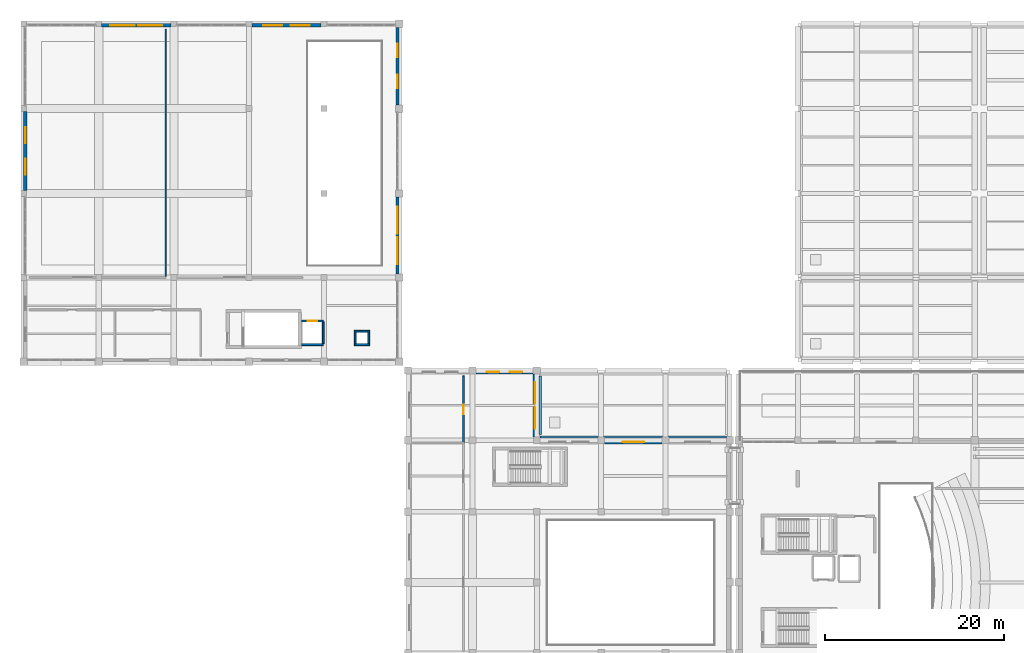
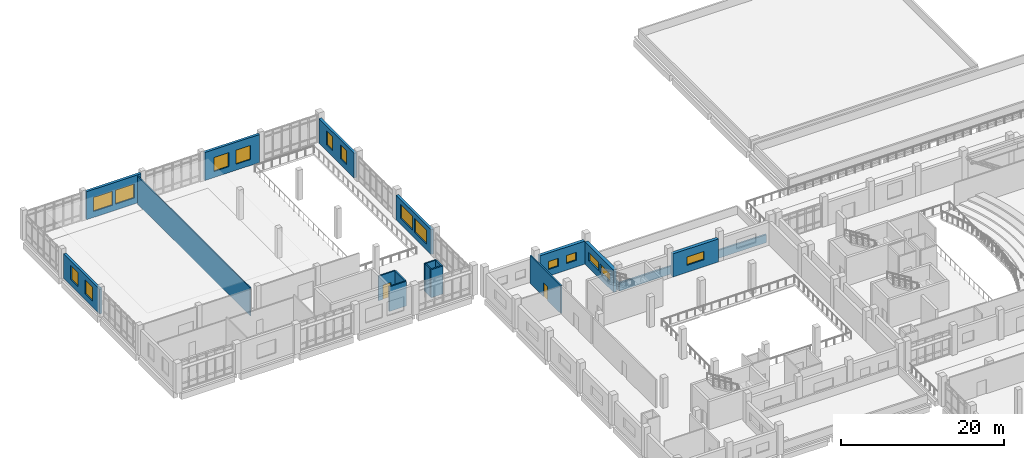
# One storey, part 42 of 54: 19 walls, 15 windows, 2 doors, 17 openings.
"""IFC4 building model written with IfcOpenShell, lengths in metres."""

from ifc_helpers import new_model, si_unit, direction, frame, frame_2d, origin, place, context, subcontext, project, spatial, rectangle, extrude, material, layer, layer_set, type_object, element, fill, save


model = new_model("IFC4")

# Units and contexts
model_context = context("Model", 3, precision=1e-05, world=origin(), true_north=direction((0.0, 1.0)))
body_context = subcontext(model_context, "Body", "Model", "MODEL_VIEW")
ifc_project = project(units=[si_unit("LENGTHUNIT", "METRE"), si_unit("AREAUNIT", "SQUARE_METRE"), si_unit("VOLUMEUNIT", "CUBIC_METRE"), si_unit("PLANEANGLEUNIT", "RADIAN"), si_unit("MASSUNIT", "GRAM", prefix="KILO")], contexts=[model_context])

# Site, building, storey
site_placement = place(None, origin())
site = spatial("IfcSite", under=ifc_project, at=site_placement, CompositionType="ELEMENT")
building_placement = place(site_placement, origin())
building = spatial("IfcBuilding", under=site, at=building_placement, Name="Kelarvand Opera House", CompositionType="ELEMENT")
storey_placement = place(building_placement, frame((0.0, 0.0, 15.0)))
storey = spatial("IfcBuildingStorey", under=building, at=storey_placement, Name="L03", CompositionType="ELEMENT", Elevation=15.0)

# Wall
ifc_material_1 = material(Name="Acoustic double-stud gypsum partition")
ifc_layer_1 = layer(ifc_material_1, 0.14990234375, Name="Acoustic double-stud gypsum partition")
ifc_layer_set_1 = layer_set([ifc_layer_1], Name="Acoustic double-stud gypsum partition")
wall_type_1 = type_object("IfcWallType", Name="Acoustic Room Partition Wall 150", PredefinedType="PARTITIONING", material=ifc_layer_set_1)
wall_1_placement = place(storey_placement, frame((24.89990234375, 96.739990234375, 0.0), z_axis=(0.0, 0.0, 1.0), x_axis=(0.0, 1.0, 0.0)))
element("IfcWall", 1, at=wall_1_placement, inside=storey, type_object=wall_type_1, Name="V3 L03 Partition Wall IW-150 (587)", PredefinedType="PARTITIONING", context=body_context, shape_type="SweptSolid", body=[
    extrude(rectangle(XDim=27.659912109375, YDim=0.14990234375, at=frame_2d((13.830078125, 0.0))), origin(), (0.0, 0.0, 1.0), 4.19189453125),
])

# Wall, openings, windows
ifc_material_2 = material(Name="Concrete C35/45", Category="concrete")
ifc_layer_2 = layer(ifc_material_2, 0.360107421875, Name="Concrete C35/45", Category="concrete")
ifc_layer_set_2 = layer_set([ifc_layer_2], Name="Concrete C35/45")
wall_type_2 = type_object("IfcWallType", Name="Azarshahr Travertine Cavity Wall 360", PredefinedType="SOLIDWALL", material=ifc_layer_set_2)
wall_2_placement = place(storey_placement, frame((50.820068359375, 124.590087890625, 0.0), z_axis=(0.0, 0.0, 1.0), x_axis=(0.0, -1.0, 0.0)))
wall_2 = element("IfcWall", 2, at=wall_2_placement, inside=storey, type_object=wall_type_2, Name="V3 L03 Exterior Wall EW-360 (422)", PredefinedType="SOLIDWALL", context=body_context, shape_type="SweptSolid", body=[
    extrude(rectangle(XDim=8.68017578125, YDim=0.360107421875, at=frame_2d((4.340087890625, 0.0))), origin(), (0.0, 0.0, 1.0), 3.709228515625),
])
opening_1_placement = place(wall_2_placement, frame((1.85400390625, 0.0, 0.89990234375)))
opening_1 = element("IfcOpeningElement", 3, at=opening_1_placement, cuts=wall_2, Name="Opening WN-04", PredefinedType="OPENING", context=body_context, shape_type="SweptSolid", body=[
    extrude(rectangle(XDim=1.5, YDim=2.10009765625, at=frame_2d((0.75, 1.050048828125))), frame((0.0, 0.18994140625, 0.0), z_axis=(0.0, -1.0, 0.0), x_axis=(1.0, 0.0, 0.0)), (0.0, 0.0, 1.0), 0.380126953125),
])
opening_2_placement = place(wall_2_placement, frame((5.325927734375, 0.0, 0.89990234375)))
opening_2 = element("IfcOpeningElement", 4, at=opening_2_placement, cuts=wall_2, Name="Opening WN-04", PredefinedType="OPENING", context=body_context, shape_type="SweptSolid", body=[
    extrude(rectangle(XDim=1.5, YDim=2.10009765625, at=frame_2d((0.75, 1.050048828125))), frame((0.0, 0.18994140625, 0.0), z_axis=(0.0, -1.0, 0.0), x_axis=(1.0, 0.0, 0.0)), (0.0, 0.0, 1.0), 0.380126953125),
])
ifc_material_3 = material(Name="Thermally broken aluminium and low-E double glazing", Category="aluminium")
window_type_1 = type_object("IfcWindowType", Name="Recessed Aluminium Thermal Window 1500x2100 WN-04", PartitioningType="SINGLE_PANEL", PredefinedType="WINDOW", material=ifc_material_3)
window_1_placement = place(opening_1_placement, origin())
window_1 = element("IfcWindow", 5, at=window_1_placement, inside=storey, type_object=window_type_1, Name="V3 L03 Facade Window WN-04 (188)", OverallHeight=2.10009765625, OverallWidth=1.5, PartitioningType="SINGLE_PANEL", PredefinedType="WINDOW", context=body_context, shape_type="SweptSolid", body=[
    extrude(rectangle(XDim=1.5, YDim=2.10009765625, at=frame_2d((0.75, 1.050048828125))), frame((0.0, 0.030029296875, 0.0), z_axis=(0.0, -1.0, 0.0), x_axis=(1.0, 0.0, 0.0)), (0.0, 0.0, 1.0), 0.06005859375),
])
fill(opening_1, window_1)
window_2_placement = place(opening_2_placement, origin())
window_2 = element("IfcWindow", 6, at=window_2_placement, inside=storey, type_object=window_type_1, Name="V3 L03 Facade Window WN-04 (189)", OverallHeight=2.10009765625, OverallWidth=1.5, PartitioningType="SINGLE_PANEL", PredefinedType="WINDOW", context=body_context, shape_type="SweptSolid", body=[
    extrude(rectangle(XDim=1.5, YDim=2.10009765625, at=frame_2d((0.75, 1.050048828125))), frame((0.0, 0.030029296875, 0.0), z_axis=(0.0, -1.0, 0.0), x_axis=(1.0, 0.0, 0.0)), (0.0, 0.0, 1.0), 0.06005859375),
])
fill(opening_2, window_2)

wall_3_placement = place(storey_placement, frame((50.820068359375, 105.590087890625, 0.0), z_axis=(0.0, 0.0, 1.0), x_axis=(0.0, -1.0, 0.0)))
wall_3 = element("IfcWall", 7, at=wall_3_placement, inside=storey, type_object=wall_type_2, Name="V3 L03 Exterior Wall EW-360 (423)", PredefinedType="SOLIDWALL", context=body_context, shape_type="SweptSolid", body=[
    extrude(rectangle(XDim=8.580078125, YDim=0.360107421875, at=frame_2d((4.2900390625, 0.0))), origin(), (0.0, 0.0, 1.0), 3.709228515625),
])
opening_3_placement = place(wall_3_placement, frame((1.073974609375, 0.0, 0.89990234375)))
opening_3 = element("IfcOpeningElement", 8, at=opening_3_placement, cuts=wall_3, Name="Opening WN-09", PredefinedType="OPENING", context=body_context, shape_type="SweptSolid", body=[
    extrude(rectangle(XDim=3.0, YDim=2.10009765625, at=frame_2d((1.5, 1.050048828125))), frame((0.0, 0.18994140625, 0.0), z_axis=(0.0, -1.0, 0.0), x_axis=(1.0, 0.0, 0.0)), (0.0, 0.0, 1.0), 0.380126953125),
])
opening_4_placement = place(wall_3_placement, frame((4.506103515625, 0.0, 0.89990234375)))
opening_4 = element("IfcOpeningElement", 9, at=opening_4_placement, cuts=wall_3, Name="Opening WN-09", PredefinedType="OPENING", context=body_context, shape_type="SweptSolid", body=[
    extrude(rectangle(XDim=3.0, YDim=2.10009765625, at=frame_2d((1.5, 1.050048828125))), frame((0.0, 0.18994140625, 0.0), z_axis=(0.0, -1.0, 0.0), x_axis=(1.0, 0.0, 0.0)), (0.0, 0.0, 1.0), 0.380126953125),
])
window_type_2 = type_object("IfcWindowType", Name="Recessed Aluminium Thermal Window 3000x2100 WN-09", PartitioningType="SINGLE_PANEL", PredefinedType="WINDOW", material=ifc_material_3)
window_3_placement = place(opening_3_placement, origin())
window_3 = element("IfcWindow", 10, at=window_3_placement, inside=storey, type_object=window_type_2, Name="V3 L03 Facade Window WN-09 (190)", OverallHeight=2.10009765625, OverallWidth=3.0, PartitioningType="SINGLE_PANEL", PredefinedType="WINDOW", context=body_context, shape_type="SweptSolid", body=[
    extrude(rectangle(XDim=3.0, YDim=2.10009765625, at=frame_2d((1.5, 1.050048828125))), frame((0.0, 0.030029296875, 0.0), z_axis=(0.0, -1.0, 0.0), x_axis=(1.0, 0.0, 0.0)), (0.0, 0.0, 1.0), 0.06005859375),
])
fill(opening_3, window_3)
window_4_placement = place(opening_4_placement, origin())
window_4 = element("IfcWindow", 11, at=window_4_placement, inside=storey, type_object=window_type_2, Name="V3 L03 Facade Window WN-09 (191)", OverallHeight=2.10009765625, OverallWidth=3.0, PartitioningType="SINGLE_PANEL", PredefinedType="WINDOW", context=body_context, shape_type="SweptSolid", body=[
    extrude(rectangle(XDim=3.0, YDim=2.10009765625, at=frame_2d((1.5, 1.050048828125))), frame((0.0, 0.030029296875, 0.0), z_axis=(0.0, -1.0, 0.0), x_axis=(1.0, 0.0, 0.0)), (0.0, 0.0, 1.0), 0.06005859375),
])
fill(opening_4, window_4)

wall_4_placement = place(storey_placement, frame((17.72509765625, 124.820068359375, 0.0), z_axis=(0.0, 0.0, 1.0), x_axis=(1.0, 0.0, 0.0)))
wall_4 = element("IfcWall", 12, at=wall_4_placement, inside=storey, type_object=wall_type_2, Name="V3 L03 Exterior Wall EW-360 (424)", PredefinedType="SOLIDWALL", context=body_context, shape_type="SweptSolid", body=[
    extrude(rectangle(XDim=7.75, YDim=0.360107421875, at=frame_2d((3.875, 0.0))), origin(), (0.0, 0.0, 1.0), 4.199951171875),
])
opening_5_placement = place(wall_4_placement, frame((0.97509765625, 0.0, 0.89990234375)))
opening_5 = element("IfcOpeningElement", 13, at=opening_5_placement, cuts=wall_4, Name="Opening WN-08", PredefinedType="OPENING", context=body_context, shape_type="SweptSolid", body=[
    extrude(rectangle(XDim=2.699951171875, YDim=2.10009765625, at=frame_2d((1.35009765625, 1.050048828125))), frame((0.0, 0.18994140625, 0.0), z_axis=(0.0, -1.0, 0.0), x_axis=(1.0, 0.0, 0.0)), (0.0, 0.0, 1.0), 0.380126953125),
])
opening_6_placement = place(wall_4_placement, frame((4.074951171875, 0.0, 0.89990234375)))
opening_6 = element("IfcOpeningElement", 14, at=opening_6_placement, cuts=wall_4, Name="Opening WN-08", PredefinedType="OPENING", context=body_context, shape_type="SweptSolid", body=[
    extrude(rectangle(XDim=2.699951171875, YDim=2.10009765625, at=frame_2d((1.35009765625, 1.050048828125))), frame((0.0, 0.18994140625, 0.0), z_axis=(0.0, -1.0, 0.0), x_axis=(1.0, 0.0, 0.0)), (0.0, 0.0, 1.0), 0.380126953125),
])
window_type_3 = type_object("IfcWindowType", Name="Recessed Aluminium Thermal Window 2700x2100 WN-08", PartitioningType="SINGLE_PANEL", PredefinedType="WINDOW", material=ifc_material_3)
window_5_placement = place(opening_5_placement, origin())
window_5 = element("IfcWindow", 15, at=window_5_placement, inside=storey, type_object=window_type_3, Name="V3 L03 Facade Window WN-08 (192)", OverallHeight=2.10009765625, OverallWidth=2.699951171875, PartitioningType="SINGLE_PANEL", PredefinedType="WINDOW", context=body_context, shape_type="SweptSolid", body=[
    extrude(rectangle(XDim=2.699951171875, YDim=2.10009765625, at=frame_2d((1.35009765625, 1.050048828125))), frame((0.0, 0.030029296875, 0.0), z_axis=(0.0, -1.0, 0.0), x_axis=(1.0, 0.0, 0.0)), (0.0, 0.0, 1.0), 0.06005859375),
])
fill(opening_5, window_5)
window_6_placement = place(opening_6_placement, origin())
window_6 = element("IfcWindow", 16, at=window_6_placement, inside=storey, type_object=window_type_3, Name="V3 L03 Facade Window WN-08 (193)", OverallHeight=2.10009765625, OverallWidth=2.699951171875, PartitioningType="SINGLE_PANEL", PredefinedType="WINDOW", context=body_context, shape_type="SweptSolid", body=[
    extrude(rectangle(XDim=2.699951171875, YDim=2.10009765625, at=frame_2d((1.35009765625, 1.050048828125))), frame((0.0, 0.030029296875, 0.0), z_axis=(0.0, -1.0, 0.0), x_axis=(1.0, 0.0, 0.0)), (0.0, 0.0, 1.0), 0.06005859375),
])
fill(opening_6, window_6)

wall_5_placement = place(storey_placement, frame((34.52490234375, 124.820068359375, 0.0), z_axis=(0.0, 0.0, 1.0), x_axis=(1.0, 0.0, 0.0)))
wall_5 = element("IfcWall", 17, at=wall_5_placement, inside=storey, type_object=wall_type_2, Name="V3 L03 Exterior Wall EW-360 (425)", PredefinedType="SOLIDWALL", context=body_context, shape_type="SweptSolid", body=[
    extrude(rectangle(XDim=7.75, YDim=0.360107421875, at=frame_2d((3.875, 0.0))), origin(), (0.0, 0.0, 1.0), 4.199951171875),
])
opening_7_placement = place(wall_5_placement, frame((1.27490234375, 0.0, 0.89990234375)))
opening_7 = element("IfcOpeningElement", 18, at=opening_7_placement, cuts=wall_5, Name="Opening WN-06", PredefinedType="OPENING", context=body_context, shape_type="SweptSolid", body=[
    extrude(rectangle(XDim=2.10009765625, YDim=2.10009765625, at=frame_2d((1.050048828125, 1.050048828125))), frame((0.0, 0.18994140625, 0.0), z_axis=(0.0, -1.0, 0.0), x_axis=(1.0, 0.0, 0.0)), (0.0, 0.0, 1.0), 0.380126953125),
])
opening_8_placement = place(wall_5_placement, frame((4.375, 0.0, 0.89990234375)))
opening_8 = element("IfcOpeningElement", 19, at=opening_8_placement, cuts=wall_5, Name="Opening WN-06", PredefinedType="OPENING", context=body_context, shape_type="SweptSolid", body=[
    extrude(rectangle(XDim=2.10009765625, YDim=2.10009765625, at=frame_2d((1.050048828125, 1.050048828125))), frame((0.0, 0.18994140625, 0.0), z_axis=(0.0, -1.0, 0.0), x_axis=(1.0, 0.0, 0.0)), (0.0, 0.0, 1.0), 0.380126953125),
])
window_type_4 = type_object("IfcWindowType", Name="Recessed Aluminium Thermal Window 2100x2100 WN-06", PartitioningType="SINGLE_PANEL", PredefinedType="WINDOW", material=ifc_material_3)
window_7_placement = place(opening_7_placement, origin())
window_7 = element("IfcWindow", 20, at=window_7_placement, inside=storey, type_object=window_type_4, Name="V3 L03 Facade Window WN-06 (194)", OverallHeight=2.10009765625, OverallWidth=2.10009765625, PartitioningType="SINGLE_PANEL", PredefinedType="WINDOW", context=body_context, shape_type="SweptSolid", body=[
    extrude(rectangle(XDim=2.10009765625, YDim=2.10009765625, at=frame_2d((1.050048828125, 1.050048828125))), frame((0.0, 0.030029296875, 0.0), z_axis=(0.0, -1.0, 0.0), x_axis=(1.0, 0.0, 0.0)), (0.0, 0.0, 1.0), 0.06005859375),
])
fill(opening_7, window_7)
window_8_placement = place(opening_8_placement, origin())
window_8 = element("IfcWindow", 21, at=window_8_placement, inside=storey, type_object=window_type_4, Name="V3 L03 Facade Window WN-06 (195)", OverallHeight=2.10009765625, OverallWidth=2.10009765625, PartitioningType="SINGLE_PANEL", PredefinedType="WINDOW", context=body_context, shape_type="SweptSolid", body=[
    extrude(rectangle(XDim=2.10009765625, YDim=2.10009765625, at=frame_2d((1.050048828125, 1.050048828125))), frame((0.0, 0.030029296875, 0.0), z_axis=(0.0, -1.0, 0.0), x_axis=(1.0, 0.0, 0.0)), (0.0, 0.0, 1.0), 0.06005859375),
])
fill(opening_8, window_8)

wall_6_placement = place(storey_placement, frame((9.179931640625, 106.324951171875, 0.0), z_axis=(0.0, 0.0, 1.0), x_axis=(0.0, 1.0, 0.0)))
wall_6 = element("IfcWall", 22, at=wall_6_placement, inside=storey, type_object=wall_type_2, Name="V3 L03 Exterior Wall EW-360 (427)", PredefinedType="SOLIDWALL", context=body_context, shape_type="SweptSolid", body=[
    extrude(rectangle(XDim=8.85009765625, YDim=0.360107421875, at=frame_2d((4.425048828125, 0.0))), origin(), (0.0, 0.0, 1.0), 3.709228515625),
])
opening_9_placement = place(wall_6_placement, frame((1.7548828125, 0.0, 0.89990234375)))
opening_9 = element("IfcOpeningElement", 23, at=opening_9_placement, cuts=wall_6, Name="Opening WN-05", PredefinedType="OPENING", context=body_context, shape_type="SweptSolid", body=[
    extrude(rectangle(XDim=1.800048828125, YDim=2.10009765625, at=frame_2d((0.89990234375, 1.050048828125))), frame((0.0, 0.18994140625, 0.0), z_axis=(0.0, -1.0, 0.0), x_axis=(1.0, 0.0, 0.0)), (0.0, 0.0, 1.0), 0.380126953125),
])
opening_10_placement = place(wall_6_placement, frame((5.294921875, 0.0, 0.89990234375)))
opening_10 = element("IfcOpeningElement", 24, at=opening_10_placement, cuts=wall_6, Name="Opening WN-05", PredefinedType="OPENING", context=body_context, shape_type="SweptSolid", body=[
    extrude(rectangle(XDim=1.800048828125, YDim=2.10009765625, at=frame_2d((0.89990234375, 1.050048828125))), frame((0.0, 0.18994140625, 0.0), z_axis=(0.0, -1.0, 0.0), x_axis=(1.0, 0.0, 0.0)), (0.0, 0.0, 1.0), 0.380126953125),
])
window_type_5 = type_object("IfcWindowType", Name="Recessed Aluminium Thermal Window 1800x2100 WN-05", PartitioningType="SINGLE_PANEL", PredefinedType="WINDOW", material=ifc_material_3)
window_9_placement = place(opening_9_placement, origin())
window_9 = element("IfcWindow", 25, at=window_9_placement, inside=storey, type_object=window_type_5, Name="V3 L03 Facade Window WN-05 (198)", OverallHeight=2.10009765625, OverallWidth=1.800048828125, PartitioningType="SINGLE_PANEL", PredefinedType="WINDOW", context=body_context, shape_type="SweptSolid", body=[
    extrude(rectangle(XDim=1.800048828125, YDim=2.10009765625, at=frame_2d((0.89990234375, 1.050048828125))), frame((0.0, 0.030029296875, 0.0), z_axis=(0.0, -1.0, 0.0), x_axis=(1.0, 0.0, 0.0)), (0.0, 0.0, 1.0), 0.06005859375),
])
fill(opening_9, window_9)
window_10_placement = place(opening_10_placement, origin())
window_10 = element("IfcWindow", 26, at=window_10_placement, inside=storey, type_object=window_type_5, Name="V3 L03 Facade Window WN-05 (199)", OverallHeight=2.10009765625, OverallWidth=1.800048828125, PartitioningType="SINGLE_PANEL", PredefinedType="WINDOW", context=body_context, shape_type="SweptSolid", body=[
    extrude(rectangle(XDim=1.800048828125, YDim=2.10009765625, at=frame_2d((0.89990234375, 1.050048828125))), frame((0.0, 0.030029296875, 0.0), z_axis=(0.0, -1.0, 0.0), x_axis=(1.0, 0.0, 0.0)), (0.0, 0.0, 1.0), 0.06005859375),
])
fill(opening_10, window_10)

# Walls
ifc_layer_3 = layer(ifc_material_2, 0.239990234375, Name="Concrete C35/45", Category="concrete")
ifc_layer_set_3 = layer_set([ifc_layer_3], Name="Concrete C35/45")
wall_type_3 = type_object("IfcWallType", Name="Capped Travertine Roof Parapet 240", PredefinedType="PARAPET", material=ifc_layer_set_3)
wall_7_placement = place(storey_placement, frame((66.780029296875, 78.780029296875, 0.0), z_axis=(0.0, 0.0, 1.0), x_axis=(1.0, 0.0, 0.0)))
element("IfcWall", 27, at=wall_7_placement, inside=storey, type_object=wall_type_3, Name="V2 Roof Parapet 9", PredefinedType="PARAPET", context=body_context, shape_type="SweptSolid", body=[
    extrude(rectangle(XDim=20.840087890625, YDim=0.239990234375, at=frame_2d((10.419921875, 0.0))), origin(), (0.0, 0.0, 1.0), 1.199951171875),
])
wall_8_placement = place(storey_placement, frame((66.780029296875, 85.580078125, 0.0), z_axis=(0.0, 0.0, 1.0), x_axis=(0.0, -1.0, 0.0)))
element("IfcWall", 28, at=wall_8_placement, inside=storey, type_object=wall_type_3, Name="V2 Roof Parapet 11", PredefinedType="PARAPET", context=body_context, shape_type="SweptSolid", body=[
    extrude(rectangle(XDim=6.56005859375, YDim=0.239990234375, at=frame_2d((3.280029296875, 0.0))), origin(), (0.0, 0.0, 1.0), 1.199951171875),
])

# Wall, opening, door
ifc_layer_4 = layer(ifc_material_2, 0.179931640625, Name="Concrete C35/45", Category="concrete")
ifc_layer_set_4 = layer_set([ifc_layer_4], Name="Concrete C35/45")
wall_type_4 = type_object("IfcWallType", Name="Corridor Fire-Rated Partition Wall 180 EI90", PredefinedType="PARTITIONING", material=ifc_layer_set_4)
wall_9_placement = place(storey_placement, frame((58.199951171875, 78.10009765625, 0.0), z_axis=(0.0, 0.0, 1.0), x_axis=(0.0, 1.0, 0.0)))
wall_9 = element("IfcWall", 29, at=wall_9_placement, inside=storey, type_object=wall_type_4, Name="V2 L03 Partition Wall IW-90 (580)", PredefinedType="PARTITIONING", context=body_context, shape_type="SweptSolid", body=[
    extrude(rectangle(XDim=7.5, YDim=0.179931640625, at=frame_2d((3.75, 0.0))), origin(), (0.0, 0.0, 1.0), 4.19189453125),
])
opening_11_placement = place(wall_9_placement, frame((3.22509765625, 0.0, 0.0)))
opening_11 = element("IfcOpeningElement", 30, at=opening_11_placement, cuts=wall_9, Name="Opening D-02", PredefinedType="OPENING", context=body_context, shape_type="SweptSolid", body=[
    extrude(rectangle(XDim=1.050048828125, YDim=2.10009765625, at=frame_2d((0.52490234375, 1.050048828125))), frame((0.0, 0.10009765625, 0.0), z_axis=(0.0, -1.0, 0.0), x_axis=(1.0, 0.0, 0.0)), (0.0, 0.0, 1.0), 0.199951171875),
])
ifc_material_4 = material(Name="Acoustic walnut-veneered hardwood", Category="wood")
door_type_1 = type_object("IfcDoorType", Name="Acoustic Studio Single Door 1050x2100", OperationType="NOTDEFINED", PredefinedType="DOOR", material=ifc_material_4)
door_1_placement = place(opening_11_placement, origin())
door_1 = element("IfcDoor", 31, at=door_1_placement, inside=storey, type_object=door_type_1, Name="V2 L03 Door D-02 (259)", OperationType="SINGLE_SWING_LEFT", OverallHeight=2.10009765625, OverallWidth=1.050048828125, PredefinedType="DOOR", context=body_context, shape_type="SweptSolid", body=[
    extrude(rectangle(XDim=1.050048828125, YDim=2.10009765625, at=frame_2d((0.52490234375, 1.050048828125))), frame((0.0, 0.02490234375, 0.0), z_axis=(0.0, -1.0, 0.0), x_axis=(1.0, 0.0, 0.0)), (0.0, 0.0, 1.0), 0.050048828125),
])
fill(opening_11, door_1)

# Walls
ifc_layer_5 = layer(ifc_material_2, 0.199951171875, Name="Concrete C35/45", Category="concrete")
ifc_layer_set_5 = layer_set([ifc_layer_5], Name="Concrete C35/45")
wall_type_5 = type_object("IfcWallType", Name="Lift and Riser Shaft Enclosure Wall 200 EI120", PredefinedType="PARTITIONING", material=ifc_layer_set_5)
for number, where, z_axis, x_axis, name in (
    (32, (46.0, 89.10009765625, 0.0), (0.0, 0.0, 1.0), (1.0, 0.0, 0.0), "RSR-V3 L03 Riser Shaft Wall 65"),
    (33, (47.699951171875, 90.60009765625, 0.0), (0.0, 0.0, 1.0), (-1.0, 0.0, 0.0), "RSR-V3 L03 Riser Shaft Wall 66"),
):
    element("IfcWall", number, at=place(storey_placement, frame(where, z_axis=z_axis, x_axis=x_axis)), inside=storey, type_object=wall_type_5, Name=name, PredefinedType="PARTITIONING", context=body_context, shape_type="SweptSolid", body=[
        extrude(rectangle(XDim=1.699951171875, YDim=0.199951171875, at=frame_2d((0.85009765625, 0.0))), origin(), (0.0, 0.0, 1.0), 4.199951171875),
    ])
for number, where, z_axis, x_axis, name in (
    (34, (46.10009765625, 89.199951171875, 0.0), (0.0, 0.0, 1.0), (0.0, 1.0, 0.0), "RSR-V3 L03 Riser Shaft Wall 67"),
    (35, (47.60009765625, 90.5, 0.0), (0.0, 0.0, 1.0), (0.0, -1.0, 0.0), "RSR-V3 L03 Riser Shaft Wall 68"),
):
    element("IfcWall", number, at=place(storey_placement, frame(where, z_axis=z_axis, x_axis=x_axis)), inside=storey, type_object=wall_type_5, Name=name, PredefinedType="PARTITIONING", context=body_context, shape_type="SweptSolid", body=[
        extrude(rectangle(XDim=1.300048828125, YDim=0.199951171875, at=frame_2d((0.64990234375, 0.0))), origin(), (0.0, 0.0, 1.0), 4.199951171875),
    ])
wall_10_placement = place(storey_placement, frame((40.10009765625, 89.10009765625, 0.0), z_axis=(0.0, 0.0, 1.0), x_axis=(1.0, 0.0, 0.0)))
element("IfcWall", 36, at=wall_10_placement, inside=storey, type_object=wall_type_5, Name="V3 L03 Partition Wall SW-200 (565)", PredefinedType="PARTITIONING", context=body_context, shape_type="SweptSolid", body=[
    extrude(rectangle(XDim=2.39990234375, YDim=0.199951171875, at=frame_2d((1.199951171875, 0.0))), origin(), (0.0, 0.0, 1.0), 3.7021484375),
])

# Wall, opening, door
wall_11_placement = place(storey_placement, frame((42.5, 91.75, 0.0), z_axis=(0.0, 0.0, 1.0), x_axis=(-1.0, 0.0, 0.0)))
wall_11 = element("IfcWall", 37, at=wall_11_placement, inside=storey, type_object=wall_type_5, Name="V3 L03 Partition Wall SW-200 (566)", PredefinedType="PARTITIONING", context=body_context, shape_type="SweptSolid", body=[
    extrude(rectangle(XDim=2.39990234375, YDim=0.199951171875, at=frame_2d((1.199951171875, 0.0))), origin(), (0.0, 0.0, 1.0), 3.7021484375),
])
opening_12_placement = place(wall_11_placement, frame((0.64990234375, 0.0, 0.0)))
opening_12 = element("IfcOpeningElement", 38, at=opening_12_placement, cuts=wall_11, Name="Opening LD-01", PredefinedType="OPENING", context=body_context, shape_type="SweptSolid", body=[
    extrude(rectangle(XDim=1.10009765625, YDim=2.14990234375, at=frame_2d((0.550048828125, 1.074951171875))), frame((0.0, 0.10986328125, 0.0), z_axis=(0.0, -1.0, 0.0), x_axis=(1.0, 0.0, 0.0)), (0.0, 0.0, 1.0), 0.219970703125),
])
ifc_material_5 = material(Name="Fire-rated brushed stainless steel", Category="steel")
door_type_2 = type_object("IfcDoorType", Name="Passenger Lift Sliding Landing Door 1100x2150", OperationType="SLIDING_TO_LEFT", PredefinedType="DOOR", material=ifc_material_5)
door_2_placement = place(opening_12_placement, origin())
door_2 = element("IfcDoor", 39, at=door_2_placement, inside=storey, type_object=door_type_2, Name="V3 L03 Door LD-01 (252)", OperationType="SLIDING_TO_LEFT", OverallHeight=2.14990234375, OverallWidth=1.10009765625, PredefinedType="DOOR", context=body_context, shape_type="SweptSolid", body=[
    extrude(rectangle(XDim=1.10009765625, YDim=2.14990234375, at=frame_2d((0.550048828125, 1.074951171875))), frame((0.0, 0.02490234375, 0.0), z_axis=(0.0, -1.0, 0.0), x_axis=(1.0, 0.0, 0.0)), (0.0, 0.0, 1.0), 0.050048828125),
])
fill(opening_12, door_2)

# Wall
wall_12_placement = place(storey_placement, frame((42.5, 91.64990234375, 0.0), z_axis=(0.0, 0.0, 1.0), x_axis=(0.0, -1.0, 0.0)))
element("IfcWall", 40, at=wall_12_placement, inside=storey, type_object=wall_type_5, Name="V3 L03 Partition Wall SW-200 (567)", PredefinedType="PARTITIONING", context=body_context, shape_type="SweptSolid", body=[
    extrude(rectangle(XDim=2.449951171875, YDim=0.199951171875, at=frame_2d((1.22509765625, 0.0))), origin(), (0.0, 0.0, 1.0), 3.7021484375),
])

# Wall, openings, windows
ifc_layer_6 = layer(ifc_material_2, 0.43994140625, Name="Concrete C35/45", Category="concrete")
ifc_layer_set_6 = layer_set([ifc_layer_6], Name="Concrete C35/45")
wall_type_6 = type_object("IfcWallType", Name="Stage House Acoustic Cavity Wall 440", PredefinedType="SOLIDWALL", material=ifc_layer_set_6)
wall_13_placement = place(storey_placement, frame((59.610107421875, 86.02001953125, 0.0), z_axis=(0.0, 0.0, 1.0), x_axis=(1.0, 0.0, 0.0)))
wall_13 = element("IfcWall", 41, at=wall_13_placement, inside=storey, type_object=wall_type_6, Name="V2 L03 Exterior Wall EW-440 (289)", PredefinedType="SOLIDWALL", context=body_context, shape_type="SweptSolid", body=[
    extrude(rectangle(XDim=6.3798828125, YDim=0.43994140625, at=frame_2d((3.18994140625, 0.0))), origin(), (0.0, 0.0, 1.0), 3.4619140625),
])
opening_13_placement = place(wall_13_placement, frame((1.214111328125, 0.0, 1.0)))
opening_13 = element("IfcOpeningElement", 42, at=opening_13_placement, cuts=wall_13, Name="Opening WN-24", PredefinedType="OPENING", context=body_context, shape_type="SweptSolid", body=[
    extrude(rectangle(XDim=1.39990234375, YDim=1.199951171875, at=frame_2d((0.699951171875, 0.60009765625))), frame((0.0, 0.22998046875, 0.0), z_axis=(0.0, -1.0, 0.0), x_axis=(1.0, 0.0, 0.0)), (0.0, 0.0, 1.0), 0.4599609375),
])
opening_14_placement = place(wall_13_placement, frame((3.76611328125, 0.0, 1.0)))
opening_14 = element("IfcOpeningElement", 43, at=opening_14_placement, cuts=wall_13, Name="Opening WN-24", PredefinedType="OPENING", context=body_context, shape_type="SweptSolid", body=[
    extrude(rectangle(XDim=1.39990234375, YDim=1.199951171875, at=frame_2d((0.699951171875, 0.60009765625))), frame((0.0, 0.22998046875, 0.0), z_axis=(0.0, -1.0, 0.0), x_axis=(1.0, 0.0, 0.0)), (0.0, 0.0, 1.0), 0.4599609375),
])
window_type_6 = type_object("IfcWindowType", Name="Recessed Aluminium Thermal Window 1400x1200 WN-24", PartitioningType="SINGLE_PANEL", PredefinedType="WINDOW", material=ifc_material_3)
window_11_placement = place(opening_13_placement, origin())
window_11 = element("IfcWindow", 44, at=window_11_placement, inside=storey, type_object=window_type_6, Name="V2 L03 Facade Window WN-24 (76)", OverallHeight=1.199951171875, OverallWidth=1.39990234375, PartitioningType="SINGLE_PANEL", PredefinedType="WINDOW", context=body_context, shape_type="SweptSolid", body=[
    extrude(rectangle(XDim=1.39990234375, YDim=1.199951171875, at=frame_2d((0.699951171875, 0.60009765625))), frame((0.0, 0.030029296875, 0.0), z_axis=(0.0, -1.0, 0.0), x_axis=(1.0, 0.0, 0.0)), (0.0, 0.0, 1.0), 0.06005859375),
])
fill(opening_13, window_11)
window_12_placement = place(opening_14_placement, origin())
window_12 = element("IfcWindow", 45, at=window_12_placement, inside=storey, type_object=window_type_6, Name="V2 L03 Facade Window WN-24 (77)", OverallHeight=1.199951171875, OverallWidth=1.39990234375, PartitioningType="SINGLE_PANEL", PredefinedType="WINDOW", context=body_context, shape_type="SweptSolid", body=[
    extrude(rectangle(XDim=1.39990234375, YDim=1.199951171875, at=frame_2d((0.699951171875, 0.60009765625))), frame((0.0, 0.030029296875, 0.0), z_axis=(0.0, -1.0, 0.0), x_axis=(1.0, 0.0, 0.0)), (0.0, 0.0, 1.0), 0.06005859375),
])
fill(opening_14, window_12)

wall_14_placement = place(storey_placement, frame((66.219970703125, 85.7900390625, 0.0), z_axis=(0.0, 0.0, 1.0), x_axis=(0.0, -1.0, 0.0)))
wall_14 = element("IfcWall", 46, at=wall_14_placement, inside=storey, type_object=wall_type_6, Name="V2 L03 Exterior Wall EW-440 (290)", PredefinedType="SOLIDWALL", context=body_context, shape_type="SweptSolid", body=[
    extrude(rectangle(XDim=7.01513671875, YDim=0.43994140625, at=frame_2d((3.507568359375, 0.0))), origin(), (0.0, 0.0, 1.0), 3.362060546875),
])
opening_15_placement = place(wall_14_placement, frame((0.905029296875, 0.0, 1.050048828125)))
opening_15 = element("IfcOpeningElement", 47, at=opening_15_placement, cuts=wall_14, Name="Opening WN-22", PredefinedType="OPENING", context=body_context, shape_type="SweptSolid", body=[
    extrude(rectangle(XDim=2.39990234375, YDim=1.25, at=frame_2d((1.199951171875, 0.625))), frame((0.0, 0.22998046875, 0.0), z_axis=(0.0, -1.0, 0.0), x_axis=(1.0, 0.0, 0.0)), (0.0, 0.0, 1.0), 0.4599609375),
])
opening_16_placement = place(wall_14_placement, frame((3.7099609375, 0.0, 1.050048828125)))
opening_16 = element("IfcOpeningElement", 48, at=opening_16_placement, cuts=wall_14, Name="Opening WN-22", PredefinedType="OPENING", context=body_context, shape_type="SweptSolid", body=[
    extrude(rectangle(XDim=2.39990234375, YDim=1.25, at=frame_2d((1.199951171875, 0.625))), frame((0.0, 0.22998046875, 0.0), z_axis=(0.0, -1.0, 0.0), x_axis=(1.0, 0.0, 0.0)), (0.0, 0.0, 1.0), 0.4599609375),
])
window_type_7 = type_object("IfcWindowType", Name="Recessed Aluminium Thermal Window 2400x1250 WN-22", PartitioningType="SINGLE_PANEL", PredefinedType="WINDOW", material=ifc_material_3)
window_13_placement = place(opening_15_placement, origin())
window_13 = element("IfcWindow", 49, at=window_13_placement, inside=storey, type_object=window_type_7, Name="V2 L03 Facade Window WN-22 (78)", OverallHeight=1.25, OverallWidth=2.39990234375, PartitioningType="SINGLE_PANEL", PredefinedType="WINDOW", context=body_context, shape_type="SweptSolid", body=[
    extrude(rectangle(XDim=2.39990234375, YDim=1.25, at=frame_2d((1.199951171875, 0.625))), frame((0.0, 0.030029296875, 0.0), z_axis=(0.0, -1.0, 0.0), x_axis=(1.0, 0.0, 0.0)), (0.0, 0.0, 1.0), 0.06005859375),
])
fill(opening_15, window_13)
window_14_placement = place(opening_16_placement, origin())
window_14 = element("IfcWindow", 50, at=window_14_placement, inside=storey, type_object=window_type_7, Name="V2 L03 Facade Window WN-22 (79)", OverallHeight=1.25, OverallWidth=2.39990234375, PartitioningType="SINGLE_PANEL", PredefinedType="WINDOW", context=body_context, shape_type="SweptSolid", body=[
    extrude(rectangle(XDim=2.39990234375, YDim=1.25, at=frame_2d((1.199951171875, 0.625))), frame((0.0, 0.030029296875, 0.0), z_axis=(0.0, -1.0, 0.0), x_axis=(1.0, 0.0, 0.0)), (0.0, 0.0, 1.0), 0.06005859375),
])
fill(opening_16, window_14)

# Wall, opening, window
wall_15_placement = place(storey_placement, frame((73.97509765625, 78.219970703125, 0.0), z_axis=(0.0, 0.0, 1.0), x_axis=(1.0, 0.0, 0.0)))
wall_15 = element("IfcWall", 51, at=wall_15_placement, inside=storey, type_object=wall_type_6, Name="V2 L03 Exterior Wall EW-440 (292)", PredefinedType="SOLIDWALL", context=body_context, shape_type="SweptSolid", body=[
    extrude(rectangle(XDim=6.449951171875, YDim=0.43994140625, at=frame_2d((3.22509765625, 0.0))), origin(), (0.0, 0.0, 1.0), 3.4619140625),
])
opening_17_placement = place(wall_15_placement, frame((2.02490234375, 0.0, 1.050048828125)))
opening_17 = element("IfcOpeningElement", 52, at=opening_17_placement, cuts=wall_15, Name="Opening WN-22", PredefinedType="OPENING", context=body_context, shape_type="SweptSolid", body=[
    extrude(rectangle(XDim=2.39990234375, YDim=1.25, at=frame_2d((1.199951171875, 0.625))), frame((0.0, 0.22998046875, 0.0), z_axis=(0.0, -1.0, 0.0), x_axis=(1.0, 0.0, 0.0)), (0.0, 0.0, 1.0), 0.4599609375),
])
window_15_placement = place(opening_17_placement, origin())
window_15 = element("IfcWindow", 53, at=window_15_placement, inside=storey, type_object=window_type_7, Name="V2 L03 Facade Window WN-22 (82)", OverallHeight=1.25, OverallWidth=2.39990234375, PartitioningType="SINGLE_PANEL", PredefinedType="WINDOW", context=body_context, shape_type="SweptSolid", body=[
    extrude(rectangle(XDim=2.39990234375, YDim=1.25, at=frame_2d((1.199951171875, 0.625))), frame((0.0, 0.030029296875, 0.0), z_axis=(0.0, -1.0, 0.0), x_axis=(1.0, 0.0, 0.0)), (0.0, 0.0, 1.0), 0.06005859375),
])
fill(opening_17, window_15)

save(model, "model.ifc")
